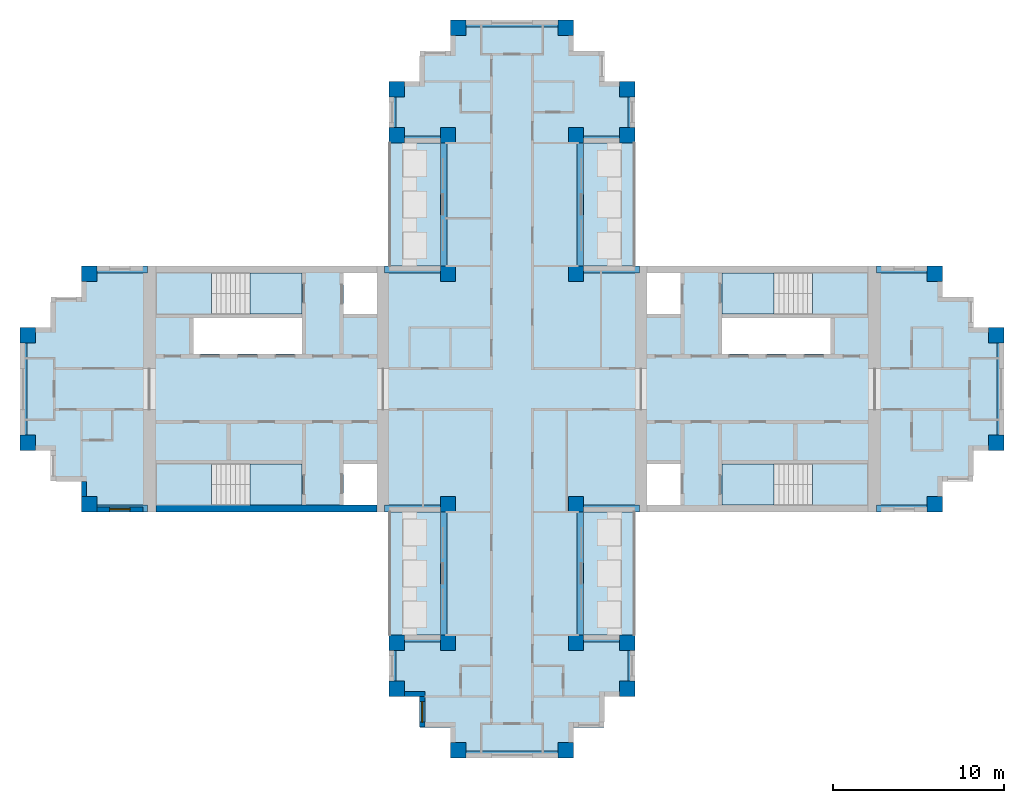
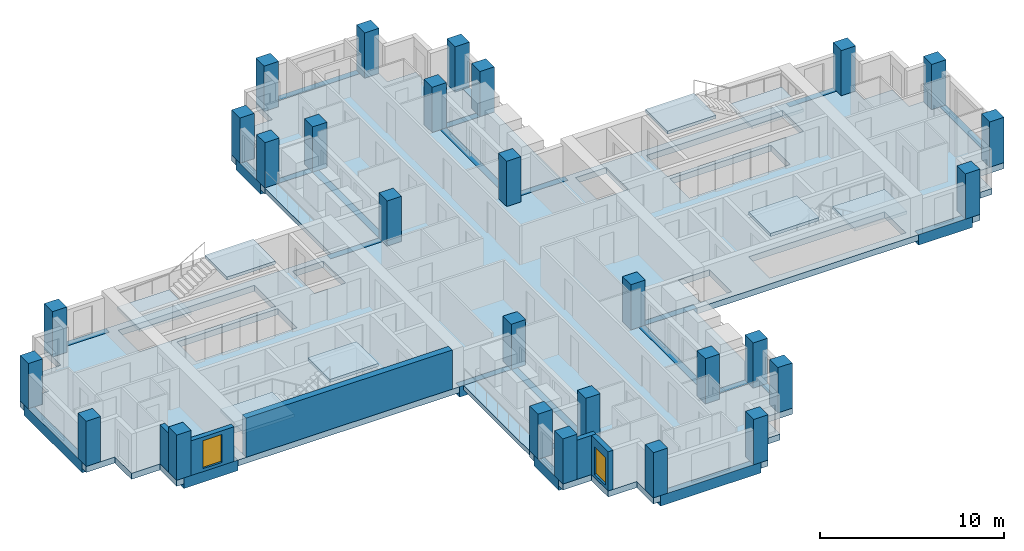
# One storey, part 1 of 10: 28 columns, 24 beams, 13 slabs, 5 walls, 2 windows, 2 openings, 4 elements without a shape of their own.
"""IFC4 building model written with IfcOpenShell, lengths in metres."""

from ifc_helpers import new_model, si_unit, direction, frame, frame_2d, origin, origin_2d, place, context, subcontext, project, spatial, polyline, rectangle, outline, extrude, material, layer, layer_set, material_profile, profile_set, type_object, element, fill, aggregate, save


model = new_model("IFC4")

# Units and contexts
model_context = context("Model", 3, precision=1e-05, world=origin(), true_north=direction((0.0, 1.0)))
body_context = subcontext(model_context, "Body", "Model", "MODEL_VIEW")
ifc_project = project(units=[si_unit("LENGTHUNIT", "METRE"), si_unit("AREAUNIT", "SQUARE_METRE"), si_unit("VOLUMEUNIT", "CUBIC_METRE"), si_unit("PLANEANGLEUNIT", "RADIAN"), si_unit("MASSUNIT", "GRAM", prefix="KILO")], contexts=[model_context])

# Site, building, storey
site_placement = place(None, origin())
site = spatial("IfcSite", under=ifc_project, at=site_placement, CompositionType="ELEMENT")
building_placement = place(site_placement, origin())
building = spatial("IfcBuilding", under=site, at=building_placement, Name="Fustian Cross Tower", CompositionType="ELEMENT")
storey_placement = place(building_placement, frame((0.0, 0.0, 228.89990234375)))
storey = spatial("IfcBuildingStorey", under=building, at=storey_placement, Name="L72", CompositionType="ELEMENT", Elevation=228.89990234375)

# Columns
ifc_material_1 = material(Name="Concrete C40/50", Category="concrete")
ifc_material_profile_1 = material_profile(ifc_material_1, rectangle(XDim=0.89990234375, YDim=0.89990234375, at=origin_2d()), Name="RC 900x900")
ifc_profile_set_1 = profile_set([ifc_material_profile_1], Name="Concrete C40/50")
column_type = type_object("IfcColumnType", Name="COLUMN RC 900x900 C40/50", PredefinedType="COLUMN", material=ifc_profile_set_1)
for number, where, z_axis, x_axis, name in (
    (1, (-28.35009765625, -3.14990234375, 0.0), (0.0, 0.0, 1.0), (1.0, 0.0, 0.0), "COLUMN 008"),
    (2, (-28.35009765625, 3.14990234375, 0.0), (0.0, 0.0, 1.0), (1.0, 0.0, 0.0), "COLUMN 009"),
    (3, (-24.75, -6.75, 0.0), (0.0, 0.0, 1.0), (1.0, 0.0, 0.0), "COLUMN 011"),
    (4, (-24.75, 6.75, 0.0), (0.0, 0.0, 1.0), (1.0, 0.0, 0.0), "COLUMN 012"),
    (5, (-6.75, -17.550048828125, 0.0), (0.0, 0.0, 1.0), (1.0, 0.0, 0.0), "COLUMN 017"),
    (6, (-6.75, -14.85009765625, 0.0), (0.0, 0.0, 1.0), (1.0, 0.0, 0.0), "COLUMN 018"),
    (7, (-6.75, 14.85009765625, 0.0), (0.0, 0.0, 1.0), (1.0, 0.0, 0.0), "COLUMN 019"),
    (8, (-6.75, 17.550048828125, 0.0), (0.0, 0.0, 1.0), (1.0, 0.0, 0.0), "COLUMN 020"),
    (9, (-3.75, -14.85009765625, 0.0), (0.0, 0.0, 1.0), (1.0, 0.0, 0.0), "COLUMN 025"),
    (10, (-3.75, -6.75, 0.0), (0.0, 0.0, 1.0), (1.0, 0.0, 0.0), "COLUMN 026"),
    (11, (-3.75, 6.75, 0.0), (0.0, 0.0, 1.0), (1.0, 0.0, 0.0), "COLUMN 027"),
    (12, (-3.75, 14.85009765625, 0.0), (0.0, 0.0, 1.0), (1.0, 0.0, 0.0), "COLUMN 028"),
    (13, (-3.14990234375, -21.14990234375, 0.0), (0.0, 0.0, 1.0), (1.0, 0.0, 0.0), "COLUMN 030"),
    (14, (-3.14990234375, 21.14990234375, 0.0), (0.0, 0.0, 1.0), (1.0, 0.0, 0.0), "COLUMN 031"),
    (15, (3.14990234375, -21.14990234375, 0.0), (0.0, 0.0, 1.0), (1.0, 0.0, 0.0), "COLUMN 034"),
    (16, (3.14990234375, 21.14990234375, 0.0), (0.0, 0.0, 1.0), (1.0, 0.0, 0.0), "COLUMN 035"),
    (17, (3.75, -14.85009765625, 0.0), (0.0, 0.0, 1.0), (1.0, 0.0, 0.0), "COLUMN 037"),
    (18, (3.75, -6.75, 0.0), (0.0, 0.0, 1.0), (1.0, 0.0, 0.0), "COLUMN 038"),
    (19, (3.75, 6.75, 0.0), (0.0, 0.0, 1.0), (1.0, 0.0, 0.0), "COLUMN 039"),
    (20, (3.75, 14.85009765625, 0.0), (0.0, 0.0, 1.0), (1.0, 0.0, 0.0), "COLUMN 040"),
    (21, (6.75, -17.550048828125, 0.0), (0.0, 0.0, 1.0), (1.0, 0.0, 0.0), "COLUMN 045"),
    (22, (6.75, -14.85009765625, 0.0), (0.0, 0.0, 1.0), (1.0, 0.0, 0.0), "COLUMN 046"),
    (23, (6.75, 14.85009765625, 0.0), (0.0, 0.0, 1.0), (1.0, 0.0, 0.0), "COLUMN 047"),
    (24, (6.75, 17.550048828125, 0.0), (0.0, 0.0, 1.0), (1.0, 0.0, 0.0), "COLUMN 048"),
    (25, (24.75, -6.75, 0.0), (0.0, 0.0, 1.0), (1.0, 0.0, 0.0), "COLUMN 053"),
    (26, (24.75, 6.75, 0.0), (0.0, 0.0, 1.0), (1.0, 0.0, 0.0), "COLUMN 054"),
    (27, (28.35009765625, -3.14990234375, 0.0), (0.0, 0.0, 1.0), (1.0, 0.0, 0.0), "COLUMN 056"),
    (28, (28.35009765625, 3.14990234375, 0.0), (0.0, 0.0, 1.0), (1.0, 0.0, 0.0), "COLUMN 057"),
):
    element("IfcColumn", number, at=place(storey_placement, frame(where, z_axis=z_axis, x_axis=x_axis)), inside=storey, type_object=column_type, Name=name, PredefinedType="COLUMN", context=body_context, shape_type="SweptSolid", body=[
        extrude(rectangle(XDim=0.89990234375, YDim=0.89990234375, at=origin_2d()), origin(), (0.0, 0.0, 1.0), 3.0),
    ])

# Beams
ifc_material_2 = material(Name="Concrete C50/60", Category="concrete")
ifc_material_profile_2 = material_profile(ifc_material_2, rectangle(XDim=0.39990234375, YDim=0.699951171875, at=origin_2d()), Name="RC 400x700")
ifc_profile_set_2 = profile_set([ifc_material_profile_2], Name="Concrete C50/60")
beam_type = type_object("IfcBeamType", Name="EDGE BEAM RC 400x700 C50/60", PredefinedType="SPANDREL", material=ifc_profile_set_2)
beam_1_placement = place(storey_placement, frame((21.35009765625, -7.0, -0.349853515625), z_axis=(1.0, 0.0, 0.0), x_axis=(0.0, 1.0, 0.0)))
element("IfcBeam", 29, at=beam_1_placement, inside=storey, type_object=beam_type, Name="EDGE BEAM L72-01", PredefinedType="SPANDREL", context=body_context, shape_type="SweptSolid", body=[
    extrude(rectangle(XDim=0.39990234375, YDim=0.699951171875, at=origin_2d()), origin(), (0.0, 0.0, 1.0), 3.39990234375),
])
beam_2_placement = place(storey_placement, frame((28.60009765625, -3.14990234375, -0.349853515625), z_axis=(0.0, 1.0, 0.0), x_axis=(-1.0, 0.0, 0.0)))
element("IfcBeam", 30, at=beam_2_placement, inside=storey, type_object=beam_type, Name="EDGE BEAM L72-02", PredefinedType="SPANDREL", context=body_context, shape_type="SweptSolid", body=[
    extrude(rectangle(XDim=0.39990234375, YDim=0.699951171875, at=origin_2d()), origin(), (0.0, 0.0, 1.0), 6.2998046875),
])
beam_3_placement = place(storey_placement, frame((24.75, 7.0, -0.349853515625), z_axis=(-1.0, 0.0, 0.0), x_axis=(0.0, -1.0, 0.0)))
element("IfcBeam", 31, at=beam_3_placement, inside=storey, type_object=beam_type, Name="EDGE BEAM L72-03", PredefinedType="SPANDREL", context=body_context, shape_type="SweptSolid", body=[
    extrude(rectangle(XDim=0.39990234375, YDim=0.699951171875, at=origin_2d()), origin(), (0.0, 0.0, 1.0), 3.39990234375),
])
beam_4_placement = place(storey_placement, frame((7.449951171875, 7.0, -0.349853515625), z_axis=(-1.0, 0.0, 0.0), x_axis=(0.0, -1.0, 0.0)))
element("IfcBeam", 32, at=beam_4_placement, inside=storey, type_object=beam_type, Name="EDGE BEAM L72-04", PredefinedType="SPANDREL", context=body_context, shape_type="SweptSolid", body=[
    extrude(rectangle(XDim=0.39990234375, YDim=0.699951171875, at=origin_2d()), origin(), (0.0, 0.0, 1.0), 3.699951171875),
])
beam_5_placement = place(storey_placement, frame((4.0, 6.75, -0.349853515625), z_axis=(0.0, 1.0, 0.0), x_axis=(-1.0, 0.0, 0.0)))
element("IfcBeam", 33, at=beam_5_placement, inside=storey, type_object=beam_type, Name="EDGE BEAM L72-05", PredefinedType="SPANDREL", context=body_context, shape_type="SweptSolid", body=[
    extrude(rectangle(XDim=0.39990234375, YDim=0.699951171875, at=origin_2d()), origin(), (0.0, 0.0, 1.0), 8.10009765625),
])
beam_6_placement = place(storey_placement, frame((3.75, 14.60009765625, -0.349853515625), z_axis=(1.0, 0.0, 0.0), x_axis=(0.0, 1.0, 0.0)))
element("IfcBeam", 34, at=beam_6_placement, inside=storey, type_object=beam_type, Name="EDGE BEAM L72-06", PredefinedType="SPANDREL", context=body_context, shape_type="SweptSolid", body=[
    extrude(rectangle(XDim=0.39990234375, YDim=0.699951171875, at=origin_2d()), origin(), (0.0, 0.0, 1.0), 3.0),
])
beam_7_placement = place(storey_placement, frame((7.0, 14.85009765625, -0.349853515625), z_axis=(0.0, 1.0, 0.0), x_axis=(-1.0, 0.0, 0.0)))
element("IfcBeam", 35, at=beam_7_placement, inside=storey, type_object=beam_type, Name="EDGE BEAM L72-07", PredefinedType="SPANDREL", context=body_context, shape_type="SweptSolid", body=[
    extrude(rectangle(XDim=0.39990234375, YDim=0.699951171875, at=origin_2d()), origin(), (0.0, 0.0, 1.0), 2.699951171875),
])
beam_8_placement = place(storey_placement, frame((3.14990234375, 21.39990234375, -0.349853515625), z_axis=(-1.0, 0.0, 0.0), x_axis=(0.0, -1.0, 0.0)))
element("IfcBeam", 36, at=beam_8_placement, inside=storey, type_object=beam_type, Name="EDGE BEAM L72-08", PredefinedType="SPANDREL", context=body_context, shape_type="SweptSolid", body=[
    extrude(rectangle(XDim=0.39990234375, YDim=0.699951171875, at=origin_2d()), origin(), (0.0, 0.0, 1.0), 6.2998046875),
])
beam_9_placement = place(storey_placement, frame((-7.0, 17.550048828125, -0.349853515625), z_axis=(0.0, -1.0, 0.0), x_axis=(1.0, 0.0, 0.0)))
element("IfcBeam", 37, at=beam_9_placement, inside=storey, type_object=beam_type, Name="EDGE BEAM L72-09", PredefinedType="SPANDREL", context=body_context, shape_type="SweptSolid", body=[
    extrude(rectangle(XDim=0.39990234375, YDim=0.699951171875, at=origin_2d()), origin(), (0.0, 0.0, 1.0), 2.699951171875),
])
beam_10_placement = place(storey_placement, frame((-6.75, 14.60009765625, -0.349853515625), z_axis=(1.0, 0.0, 0.0), x_axis=(0.0, 1.0, 0.0)))
element("IfcBeam", 38, at=beam_10_placement, inside=storey, type_object=beam_type, Name="EDGE BEAM L72-10", PredefinedType="SPANDREL", context=body_context, shape_type="SweptSolid", body=[
    extrude(rectangle(XDim=0.39990234375, YDim=0.699951171875, at=origin_2d()), origin(), (0.0, 0.0, 1.0), 3.0),
])
beam_11_placement = place(storey_placement, frame((-4.0, 14.85009765625, -0.349853515625), z_axis=(0.0, -1.0, 0.0), x_axis=(1.0, 0.0, 0.0)))
element("IfcBeam", 39, at=beam_11_placement, inside=storey, type_object=beam_type, Name="EDGE BEAM L72-11", PredefinedType="SPANDREL", context=body_context, shape_type="SweptSolid", body=[
    extrude(rectangle(XDim=0.39990234375, YDim=0.699951171875, at=origin_2d()), origin(), (0.0, 0.0, 1.0), 8.10009765625),
])
beam_12_placement = place(storey_placement, frame((-3.75, 7.0, -0.349853515625), z_axis=(-1.0, 0.0, 0.0), x_axis=(0.0, -1.0, 0.0)))
element("IfcBeam", 40, at=beam_12_placement, inside=storey, type_object=beam_type, Name="EDGE BEAM L72-12", PredefinedType="SPANDREL", context=body_context, shape_type="SweptSolid", body=[
    extrude(rectangle(XDim=0.39990234375, YDim=0.699951171875, at=origin_2d()), origin(), (0.0, 0.0, 1.0), 3.699951171875),
])
beam_13_placement = place(storey_placement, frame((-21.35009765625, 7.0, -0.349853515625), z_axis=(-1.0, 0.0, 0.0), x_axis=(0.0, -1.0, 0.0)))
element("IfcBeam", 41, at=beam_13_placement, inside=storey, type_object=beam_type, Name="EDGE BEAM L72-13", PredefinedType="SPANDREL", context=body_context, shape_type="SweptSolid", body=[
    extrude(rectangle(XDim=0.39990234375, YDim=0.699951171875, at=origin_2d()), origin(), (0.0, 0.0, 1.0), 3.39990234375),
])
beam_14_placement = place(storey_placement, frame((-28.60009765625, 3.14990234375, -0.349853515625), z_axis=(0.0, -1.0, 0.0), x_axis=(1.0, 0.0, 0.0)))
element("IfcBeam", 42, at=beam_14_placement, inside=storey, type_object=beam_type, Name="EDGE BEAM L72-14", PredefinedType="SPANDREL", context=body_context, shape_type="SweptSolid", body=[
    extrude(rectangle(XDim=0.39990234375, YDim=0.699951171875, at=origin_2d()), origin(), (0.0, 0.0, 1.0), 6.2998046875),
])
beam_15_placement = place(storey_placement, frame((-24.75, -7.0, -0.349853515625), z_axis=(1.0, 0.0, 0.0), x_axis=(0.0, 1.0, 0.0)))
element("IfcBeam", 43, at=beam_15_placement, inside=storey, type_object=beam_type, Name="EDGE BEAM L72-15", PredefinedType="SPANDREL", context=body_context, shape_type="SweptSolid", body=[
    extrude(rectangle(XDim=0.39990234375, YDim=0.699951171875, at=origin_2d()), origin(), (0.0, 0.0, 1.0), 3.39990234375),
])
beam_16_placement = place(storey_placement, frame((-7.449951171875, -7.0, -0.349853515625), z_axis=(1.0, 0.0, 0.0), x_axis=(0.0, 1.0, 0.0)))
element("IfcBeam", 44, at=beam_16_placement, inside=storey, type_object=beam_type, Name="EDGE BEAM L72-16", PredefinedType="SPANDREL", context=body_context, shape_type="SweptSolid", body=[
    extrude(rectangle(XDim=0.39990234375, YDim=0.699951171875, at=origin_2d()), origin(), (0.0, 0.0, 1.0), 3.699951171875),
])
beam_17_placement = place(storey_placement, frame((-4.0, -6.75, -0.349853515625), z_axis=(0.0, -1.0, 0.0), x_axis=(1.0, 0.0, 0.0)))
element("IfcBeam", 45, at=beam_17_placement, inside=storey, type_object=beam_type, Name="EDGE BEAM L72-17", PredefinedType="SPANDREL", context=body_context, shape_type="SweptSolid", body=[
    extrude(rectangle(XDim=0.39990234375, YDim=0.699951171875, at=origin_2d()), origin(), (0.0, 0.0, 1.0), 8.10009765625),
])
beam_18_placement = place(storey_placement, frame((-3.75, -14.60009765625, -0.349853515625), z_axis=(-1.0, 0.0, 0.0), x_axis=(0.0, -1.0, 0.0)))
element("IfcBeam", 46, at=beam_18_placement, inside=storey, type_object=beam_type, Name="EDGE BEAM L72-18", PredefinedType="SPANDREL", context=body_context, shape_type="SweptSolid", body=[
    extrude(rectangle(XDim=0.39990234375, YDim=0.699951171875, at=origin_2d()), origin(), (0.0, 0.0, 1.0), 3.0),
])
beam_19_placement = place(storey_placement, frame((-7.0, -14.85009765625, -0.349853515625), z_axis=(0.0, -1.0, 0.0), x_axis=(1.0, 0.0, 0.0)))
element("IfcBeam", 47, at=beam_19_placement, inside=storey, type_object=beam_type, Name="EDGE BEAM L72-19", PredefinedType="SPANDREL", context=body_context, shape_type="SweptSolid", body=[
    extrude(rectangle(XDim=0.39990234375, YDim=0.699951171875, at=origin_2d()), origin(), (0.0, 0.0, 1.0), 2.699951171875),
])
beam_20_placement = place(storey_placement, frame((-3.14990234375, -21.39990234375, -0.349853515625), z_axis=(1.0, 0.0, 0.0), x_axis=(0.0, 1.0, 0.0)))
element("IfcBeam", 48, at=beam_20_placement, inside=storey, type_object=beam_type, Name="EDGE BEAM L72-20", PredefinedType="SPANDREL", context=body_context, shape_type="SweptSolid", body=[
    extrude(rectangle(XDim=0.39990234375, YDim=0.699951171875, at=origin_2d()), origin(), (0.0, 0.0, 1.0), 6.2998046875),
])
beam_21_placement = place(storey_placement, frame((7.0, -17.550048828125, -0.349853515625), z_axis=(0.0, 1.0, 0.0), x_axis=(-1.0, 0.0, 0.0)))
element("IfcBeam", 49, at=beam_21_placement, inside=storey, type_object=beam_type, Name="EDGE BEAM L72-21", PredefinedType="SPANDREL", context=body_context, shape_type="SweptSolid", body=[
    extrude(rectangle(XDim=0.39990234375, YDim=0.699951171875, at=origin_2d()), origin(), (0.0, 0.0, 1.0), 2.699951171875),
])
beam_22_placement = place(storey_placement, frame((6.75, -14.60009765625, -0.349853515625), z_axis=(-1.0, 0.0, 0.0), x_axis=(0.0, -1.0, 0.0)))
element("IfcBeam", 50, at=beam_22_placement, inside=storey, type_object=beam_type, Name="EDGE BEAM L72-22", PredefinedType="SPANDREL", context=body_context, shape_type="SweptSolid", body=[
    extrude(rectangle(XDim=0.39990234375, YDim=0.699951171875, at=origin_2d()), origin(), (0.0, 0.0, 1.0), 3.0),
])
beam_23_placement = place(storey_placement, frame((4.0, -14.85009765625, -0.349853515625), z_axis=(0.0, 1.0, 0.0), x_axis=(-1.0, 0.0, 0.0)))
element("IfcBeam", 51, at=beam_23_placement, inside=storey, type_object=beam_type, Name="EDGE BEAM L72-23", PredefinedType="SPANDREL", context=body_context, shape_type="SweptSolid", body=[
    extrude(rectangle(XDim=0.39990234375, YDim=0.699951171875, at=origin_2d()), origin(), (0.0, 0.0, 1.0), 8.10009765625),
])
beam_24_placement = place(storey_placement, frame((3.75, -7.0, -0.349853515625), z_axis=(1.0, 0.0, 0.0), x_axis=(0.0, 1.0, 0.0)))
element("IfcBeam", 52, at=beam_24_placement, inside=storey, type_object=beam_type, Name="EDGE BEAM L72-24", PredefinedType="SPANDREL", context=body_context, shape_type="SweptSolid", body=[
    extrude(rectangle(XDim=0.39990234375, YDim=0.699951171875, at=origin_2d()), origin(), (0.0, 0.0, 1.0), 3.699951171875),
])

# Slabs
ifc_material_3 = material(Name="Concrete C40/50", Category="concrete")
ifc_layer_1 = layer(ifc_material_3, 0.300048828125)
ifc_layer_set_1 = layer_set([ifc_layer_1], Name="Concrete C40/50")
slab_type_1 = type_object("IfcSlabType", Name="BS1 BALCONY SLAB 300", PredefinedType="FLOOR", material=ifc_layer_set_1)
slab_1_placement = place(storey_placement, frame((0.0, 0.0, -0.2998046875)))
element("IfcSlab", 53, at=slab_1_placement, inside=storey, type_object=slab_type_1, Name="Balcony slab", PredefinedType="FLOOR", context=body_context, shape_type="SweptSolid", body=[
    extrude(outline(polyline([(4.199951171875, 7.199951171875), (7.199951171875, 7.199951171875), (7.199951171875, 14.39990234375), (4.199951171875, 14.39990234375), (4.199951171875, 7.199951171875)])), origin(), (0.0, 0.0, 1.0), 0.2998046875),
])
slab_2_placement = place(storey_placement, frame((0.0, 0.0, -0.2998046875)))
element("IfcSlab", 54, at=slab_2_placement, inside=storey, type_object=slab_type_1, Name="Balcony slab", PredefinedType="FLOOR", context=body_context, shape_type="SweptSolid", body=[
    extrude(outline(polyline([(-7.199951171875, 7.199951171875), (-4.199951171875, 7.199951171875), (-4.199951171875, 14.39990234375), (-7.199951171875, 14.39990234375), (-7.199951171875, 7.199951171875)])), origin(), (0.0, 0.0, 1.0), 0.2998046875),
])
slab_3_placement = place(storey_placement, frame((0.0, 0.0, -0.2998046875)))
element("IfcSlab", 55, at=slab_3_placement, inside=storey, type_object=slab_type_1, Name="Balcony slab", PredefinedType="FLOOR", context=body_context, shape_type="SweptSolid", body=[
    extrude(outline(polyline([(4.199951171875, -14.39990234375), (7.199951171875, -14.39990234375), (7.199951171875, -7.199951171875), (4.199951171875, -7.199951171875), (4.199951171875, -14.39990234375)])), origin(), (0.0, 0.0, 1.0), 0.2998046875),
])
slab_4_placement = place(storey_placement, frame((0.0, 0.0, -0.2998046875)))
element("IfcSlab", 56, at=slab_4_placement, inside=storey, type_object=slab_type_1, Name="Balcony slab", PredefinedType="FLOOR", context=body_context, shape_type="SweptSolid", body=[
    extrude(outline(polyline([(-7.199951171875, -14.39990234375), (-4.199951171875, -14.39990234375), (-4.199951171875, -7.199951171875), (-7.199951171875, -7.199951171875), (-7.199951171875, -14.39990234375)])), origin(), (0.0, 0.0, 1.0), 0.2998046875),
])
ifc_material_4 = material(Name="Concrete C40/50", Category="concrete")
ifc_layer_2 = layer(ifc_material_4, 0.39990234375)
ifc_layer_set_2 = layer_set([ifc_layer_2], Name="Concrete C40/50")
slab_type_2 = type_object("IfcSlabType", Name="FLAT SLAB 400", PredefinedType="FLOOR", material=ifc_layer_set_2)
slab_5_placement = place(storey_placement, frame((0.0, 0.0, -0.39990234375)))
element("IfcSlab", 57, at=slab_5_placement, inside=storey, type_object=slab_type_2, Name="FLOOR SLAB L72-1", PredefinedType="FLOOR", context=body_context, shape_type="SweptSolid", body=[
    extrude(outline(polyline([(-3.60009765625, -19.800048828125), (-5.39990234375, -19.800048828125), (-5.39990234375, -18.0), (-7.199951171875, -18.0), (-7.199951171875, -14.39990234375), (-4.199951171875, -14.39990234375), (-4.199951171875, -7.199951171875), (-25.199951171875, -7.199951171875), (-25.199951171875, -5.39990234375), (-27.0, -5.39990234375), (-27.0, -3.60009765625), (-28.800048828125, -3.60009765625), (-28.800048828125, 3.60009765625), (-27.0, 3.60009765625), (-27.0, 5.39990234375), (-25.199951171875, 5.39990234375), (-25.199951171875, 7.199951171875), (-4.199951171875, 7.199951171875), (-4.199951171875, 14.39990234375), (-7.199951171875, 14.39990234375), (-7.199951171875, 18.0), (-5.39990234375, 18.0), (-5.39990234375, 19.800048828125), (-3.60009765625, 19.800048828125), (-3.60009765625, 21.60009765625), (3.60009765625, 21.60009765625), (3.60009765625, 19.800048828125), (5.39990234375, 19.800048828125), (5.39990234375, 18.0), (7.199951171875, 18.0), (7.199951171875, 14.39990234375), (4.199951171875, 14.39990234375), (4.199951171875, 7.199951171875), (25.199951171875, 7.199951171875), (25.199951171875, 5.39990234375), (27.0, 5.39990234375), (27.0, 3.60009765625), (28.800048828125, 3.60009765625), (28.800048828125, -3.60009765625), (27.0, -3.60009765625), (27.0, -5.39990234375), (25.199951171875, -5.39990234375), (25.199951171875, -7.199951171875), (4.199951171875, -7.199951171875), (4.199951171875, -14.39990234375), (7.199951171875, -14.39990234375), (7.199951171875, -18.0), (5.39990234375, -18.0), (5.39990234375, -19.800048828125), (3.60009765625, -19.800048828125), (3.60009765625, -21.60009765625), (-3.60009765625, -21.60009765625), (-3.60009765625, -19.800048828125)]), holes=[polyline([(7.89990234375, 6.800048828125), (7.89990234375, 4.39990234375), (9.85009765625, 4.39990234375), (9.85009765625, 6.800048828125), (7.89990234375, 6.800048828125)]), polyline([(9.85009765625, -4.39990234375), (7.89990234375, -4.39990234375), (7.89990234375, -6.800048828125), (9.85009765625, -6.800048828125), (9.85009765625, -4.39990234375)]), polyline([(-7.89990234375, 4.39990234375), (-7.89990234375, 6.800048828125), (-9.85009765625, 6.800048828125), (-9.85009765625, 4.39990234375), (-7.89990234375, 4.39990234375)]), polyline([(-9.85009765625, -6.800048828125), (-7.89990234375, -6.800048828125), (-7.89990234375, -4.39990234375), (-9.85009765625, -4.39990234375), (-9.85009765625, -6.800048828125)]), polyline([(12.300048828125, 4.14990234375), (12.300048828125, 2.050048828125), (18.64990234375, 2.050048828125), (18.64990234375, 4.14990234375), (12.300048828125, 4.14990234375)]), polyline([(-12.300048828125, 4.14990234375), (-18.64990234375, 4.14990234375), (-18.64990234375, 2.050048828125), (-12.300048828125, 2.050048828125), (-12.300048828125, 4.14990234375)]), polyline([(20.85009765625, 4.39990234375), (20.85009765625, 6.699951171875), (12.300048828125, 6.699951171875), (12.300048828125, 4.39990234375), (20.85009765625, 4.39990234375)]), polyline([(12.300048828125, -6.699951171875), (20.85009765625, -6.699951171875), (20.85009765625, -4.39990234375), (12.300048828125, -4.39990234375), (12.300048828125, -6.699951171875)]), polyline([(-20.85009765625, 6.699951171875), (-20.85009765625, 4.39990234375), (-12.300048828125, 4.39990234375), (-12.300048828125, 6.699951171875), (-20.85009765625, 6.699951171875)]), polyline([(-12.300048828125, -4.39990234375), (-20.85009765625, -4.39990234375), (-20.85009765625, -6.699951171875), (-12.300048828125, -6.699951171875), (-12.300048828125, -4.39990234375)])]), origin(), (0.0, 0.0, 1.0), 0.39990234375),
])

# Stair, slabs
ifc_material_5 = material(Name="Concrete C50/60", Category="concrete")
stair_type = type_object("IfcStairType", Name="STAIR 1200 HALF TURN", PredefinedType="HALF_TURN_STAIR", material=ifc_material_5)
stair_1_placement = place(storey_placement, origin())
stair_1 = element("IfcStair", 58, at=stair_1_placement, inside=storey, type_object=stair_type, Name="Stair ST1", PredefinedType="HALF_TURN_STAIR")
ifc_material_6 = material(Name="Concrete C50/60", Category="concrete")
ifc_layer_3 = layer(ifc_material_6, 0.199951171875)
ifc_layer_set_3 = layer_set([ifc_layer_3], Name="Concrete C50/60")
slab_type_3 = type_object("IfcSlabType", Name="STAIR LANDING", PredefinedType="LANDING", material=ifc_layer_set_3)
slab_6_placement = place(storey_placement, frame((0.0, 0.0, 1.300048828125)))
slab_6 = element("IfcSlab", 59, at=slab_6_placement, type_object=slab_type_3, Name="ST1 landing 1", PredefinedType="LANDING", context=body_context, shape_type="SweptSolid", body=[
    extrude(outline(polyline([(17.590087890625, 4.39990234375), (20.85009765625, 4.39990234375), (20.85009765625, 6.800048828125), (17.590087890625, 6.800048828125), (17.590087890625, 4.39990234375)])), origin(), (0.0, 0.0, 1.0), 0.199951171875),
])
slab_7_placement = place(storey_placement, frame((0.0, 0.0, 2.800048828125)))
slab_7 = element("IfcSlab", 60, at=slab_7_placement, type_object=slab_type_3, Name="ST1 landing 2", PredefinedType="LANDING", context=body_context, shape_type="SweptSolid", body=[
    extrude(outline(polyline([(12.300048828125, 4.39990234375), (15.35009765625, 4.39990234375), (15.35009765625, 6.800048828125), (12.300048828125, 6.800048828125), (12.300048828125, 4.39990234375)])), origin(), (0.0, 0.0, 1.0), 0.199951171875),
])
aggregate(stair_1, [slab_6, slab_7])

stair_2_placement = place(storey_placement, origin())
stair_2 = element("IfcStair", 61, at=stair_2_placement, inside=storey, type_object=stair_type, Name="Stair ST2", PredefinedType="HALF_TURN_STAIR")
slab_8_placement = place(storey_placement, frame((0.0, 0.0, 1.300048828125)))
slab_8 = element("IfcSlab", 62, at=slab_8_placement, type_object=slab_type_3, Name="ST2 landing 1", PredefinedType="LANDING", context=body_context, shape_type="SweptSolid", body=[
    extrude(outline(polyline([(17.590087890625, -4.39990234375), (20.85009765625, -4.39990234375), (20.85009765625, -6.800048828125), (17.590087890625, -6.800048828125), (17.590087890625, -4.39990234375)])), origin(), (0.0, 0.0, 1.0), 0.199951171875),
])
slab_9_placement = place(storey_placement, frame((0.0, 0.0, 2.800048828125)))
slab_9 = element("IfcSlab", 63, at=slab_9_placement, type_object=slab_type_3, Name="ST2 landing 2", PredefinedType="LANDING", context=body_context, shape_type="SweptSolid", body=[
    extrude(outline(polyline([(12.300048828125, -4.39990234375), (15.35009765625, -4.39990234375), (15.35009765625, -6.800048828125), (12.300048828125, -6.800048828125), (12.300048828125, -4.39990234375)])), origin(), (0.0, 0.0, 1.0), 0.199951171875),
])
aggregate(stair_2, [slab_8, slab_9])

stair_3_placement = place(storey_placement, origin())
stair_3 = element("IfcStair", 64, at=stair_3_placement, inside=storey, type_object=stair_type, Name="Stair ST3", PredefinedType="HALF_TURN_STAIR")
slab_10_placement = place(storey_placement, frame((0.0, 0.0, 1.300048828125)))
slab_10 = element("IfcSlab", 65, at=slab_10_placement, type_object=slab_type_3, Name="ST3 landing 1", PredefinedType="LANDING", context=body_context, shape_type="SweptSolid", body=[
    extrude(outline(polyline([(-17.590087890625, 4.39990234375), (-20.85009765625, 4.39990234375), (-20.85009765625, 6.800048828125), (-17.590087890625, 6.800048828125), (-17.590087890625, 4.39990234375)])), origin(), (0.0, 0.0, 1.0), 0.199951171875),
])
slab_11_placement = place(storey_placement, frame((0.0, 0.0, 2.800048828125)))
slab_11 = element("IfcSlab", 66, at=slab_11_placement, type_object=slab_type_3, Name="ST3 landing 2", PredefinedType="LANDING", context=body_context, shape_type="SweptSolid", body=[
    extrude(outline(polyline([(-12.300048828125, 4.39990234375), (-15.35009765625, 4.39990234375), (-15.35009765625, 6.800048828125), (-12.300048828125, 6.800048828125), (-12.300048828125, 4.39990234375)])), origin(), (0.0, 0.0, 1.0), 0.199951171875),
])
aggregate(stair_3, [slab_10, slab_11])

stair_4_placement = place(storey_placement, origin())
stair_4 = element("IfcStair", 67, at=stair_4_placement, inside=storey, type_object=stair_type, Name="Stair ST4", PredefinedType="HALF_TURN_STAIR")
slab_12_placement = place(storey_placement, frame((0.0, 0.0, 1.300048828125)))
slab_12 = element("IfcSlab", 68, at=slab_12_placement, type_object=slab_type_3, Name="ST4 landing 1", PredefinedType="LANDING", context=body_context, shape_type="SweptSolid", body=[
    extrude(outline(polyline([(-17.590087890625, -4.39990234375), (-20.85009765625, -4.39990234375), (-20.85009765625, -6.800048828125), (-17.590087890625, -6.800048828125), (-17.590087890625, -4.39990234375)])), origin(), (0.0, 0.0, 1.0), 0.199951171875),
])
slab_13_placement = place(storey_placement, frame((0.0, 0.0, 2.800048828125)))
slab_13 = element("IfcSlab", 69, at=slab_13_placement, type_object=slab_type_3, Name="ST4 landing 2", PredefinedType="LANDING", context=body_context, shape_type="SweptSolid", body=[
    extrude(outline(polyline([(-12.300048828125, -4.39990234375), (-15.35009765625, -4.39990234375), (-15.35009765625, -6.800048828125), (-12.300048828125, -6.800048828125), (-12.300048828125, -4.39990234375)])), origin(), (0.0, 0.0, 1.0), 0.199951171875),
])
aggregate(stair_4, [slab_12, slab_13])

# Walls
ifc_material_7 = material(Name="Concrete C50/60", Category="concrete")
ifc_layer_4 = layer(ifc_material_7, 0.39990234375)
ifc_layer_set_4 = layer_set([ifc_layer_4], Name="Concrete C50/60")
wall_type_1 = type_object("IfcWallType", Name="CORE FACADE WALL 400 C50/60", PredefinedType="SHEAR", material=ifc_layer_set_4)
wall_1_placement = place(storey_placement, frame((-7.89990234375, -7.0, 0.0), z_axis=(0.0, 0.0, 1.0), x_axis=(-1.0, 0.0, 0.0)))
element("IfcWall", 70, at=wall_1_placement, inside=storey, type_object=wall_type_1, Name="Core facade wall", PredefinedType="SHEAR", context=body_context, shape_type="SweptSolid", body=[
    extrude(rectangle(XDim=12.9501953125, YDim=0.39990234375, at=frame_2d((6.47509765625, 0.0))), origin(), (0.0, 0.0, 1.0), 2.60009765625),
])
ifc_material_8 = material(Name="Dark aluminium cladding on insulated backing wall", Category="aluminium")
ifc_layer_5 = layer(ifc_material_8, 0.300048828125)
ifc_layer_set_5 = layer_set([ifc_layer_5], Name="Dark aluminium cladding on insulated backing wall")
wall_type_2 = type_object("IfcWallType", Name="XW1 EXTERNAL WALL 300", PredefinedType="SOLIDWALL", material=ifc_layer_set_5)
wall_2_placement = place(storey_placement, frame((-25.050048828125, -5.39990234375, 0.0), z_axis=(0.0, 0.0, 1.0), x_axis=(0.0, -1.0, 0.0)))
element("IfcWall", 71, at=wall_2_placement, inside=storey, type_object=wall_type_2, Name="External wall", PredefinedType="SOLIDWALL", context=body_context, shape_type="SweptSolid", body=[
    extrude(rectangle(XDim=0.900146484375, YDim=0.300048828125, at=frame_2d((0.4501953125, 0.0))), origin(), (0.0, 0.0, 1.0), 2.60009765625),
])

# Wall, opening, window
wall_3_placement = place(storey_placement, frame((-24.300048828125, -7.050048828125, 0.0), z_axis=(0.0, 0.0, 1.0), x_axis=(1.0, 0.0, 0.0)))
wall_3 = element("IfcWall", 72, at=wall_3_placement, inside=storey, type_object=wall_type_2, Name="External wall", PredefinedType="SOLIDWALL", context=body_context, shape_type="SweptSolid", body=[
    extrude(rectangle(XDim=2.699951171875, YDim=0.300048828125, at=frame_2d((1.35009765625, 0.0))), origin(), (0.0, 0.0, 1.0), 2.300048828125),
])
opening_1_placement = place(wall_3_placement, frame((0.75, 0.0, 0.199951171875)))
opening_1 = element("IfcOpeningElement", 73, at=opening_1_placement, cuts=wall_3, Name="Opening WN3", PredefinedType="OPENING", context=body_context, shape_type="SweptSolid", body=[
    extrude(rectangle(XDim=1.199951171875, YDim=1.85009765625, at=frame_2d((0.60009765625, 0.925048828125))), frame((0.0, 0.159912109375, 0.0), z_axis=(0.0, -1.0, 0.0), x_axis=(1.0, 0.0, 0.0)), (0.0, 0.0, 1.0), 0.320068359375),
])
ifc_material_9 = material(Name="Dark anodised aluminium and double glazing", Category="aluminium")
window_type = type_object("IfcWindowType", Name="WN3 WINDOW 1200X1850", PartitioningType="SINGLE_PANEL", PredefinedType="WINDOW", material=ifc_material_9)
window_1_placement = place(opening_1_placement, origin())
window_1 = element("IfcWindow", 74, at=window_1_placement, inside=storey, type_object=window_type, Name="Window", OverallHeight=1.85009765625, OverallWidth=1.199951171875, PartitioningType="SINGLE_PANEL", PredefinedType="WINDOW", context=body_context, shape_type="SweptSolid", body=[
    extrude(rectangle(XDim=1.199951171875, YDim=1.85009765625, at=frame_2d((0.60009765625, 0.925048828125))), frame((0.0, 0.030029296875, 0.0), z_axis=(0.0, -1.0, 0.0), x_axis=(1.0, 0.0, 0.0)), (0.0, 0.0, 1.0), 0.06005859375),
])
fill(opening_1, window_1)

# Wall
wall_4_placement = place(storey_placement, frame((-6.300048828125, -17.85009765625, 0.0), z_axis=(0.0, 0.0, 1.0), x_axis=(1.0, 0.0, 0.0)))
element("IfcWall", 75, at=wall_4_placement, inside=storey, type_object=wall_type_2, Name="External wall", PredefinedType="SOLIDWALL", context=body_context, shape_type="SweptSolid", body=[
    extrude(rectangle(XDim=1.199951171875, YDim=0.300048828125, at=frame_2d((0.60009765625, 0.0))), origin(), (0.0, 0.0, 1.0), 2.60009765625),
])

# Wall, opening, window
wall_5_placement = place(storey_placement, frame((-5.25, -18.0, 0.0), z_axis=(0.0, 0.0, 1.0), x_axis=(0.0, -1.0, 0.0)))
wall_5 = element("IfcWall", 76, at=wall_5_placement, inside=storey, type_object=wall_type_2, Name="External wall", PredefinedType="SOLIDWALL", context=body_context, shape_type="SweptSolid", body=[
    extrude(rectangle(XDim=1.800048828125, YDim=0.300048828125, at=frame_2d((0.89990234375, 0.0))), origin(), (0.0, 0.0, 1.0), 2.60009765625),
])
opening_2_placement = place(wall_5_placement, frame((0.300048828125, 0.0, 0.199951171875)))
opening_2 = element("IfcOpeningElement", 77, at=opening_2_placement, cuts=wall_5, Name="Opening WN3", PredefinedType="OPENING", context=body_context, shape_type="SweptSolid", body=[
    extrude(rectangle(XDim=1.199951171875, YDim=1.85009765625, at=frame_2d((0.60009765625, 0.925048828125))), frame((0.0, 0.159912109375, 0.0), z_axis=(0.0, -1.0, 0.0), x_axis=(1.0, 0.0, 0.0)), (0.0, 0.0, 1.0), 0.320068359375),
])
window_2_placement = place(opening_2_placement, origin())
window_2 = element("IfcWindow", 78, at=window_2_placement, inside=storey, type_object=window_type, Name="Window", OverallHeight=1.85009765625, OverallWidth=1.199951171875, PartitioningType="SINGLE_PANEL", PredefinedType="WINDOW", context=body_context, shape_type="SweptSolid", body=[
    extrude(rectangle(XDim=1.199951171875, YDim=1.85009765625, at=frame_2d((0.60009765625, 0.925048828125))), frame((0.0, 0.030029296875, 0.0), z_axis=(0.0, -1.0, 0.0), x_axis=(1.0, 0.0, 0.0)), (0.0, 0.0, 1.0), 0.06005859375),
])
fill(opening_2, window_2)

save(model, "model.ifc")
